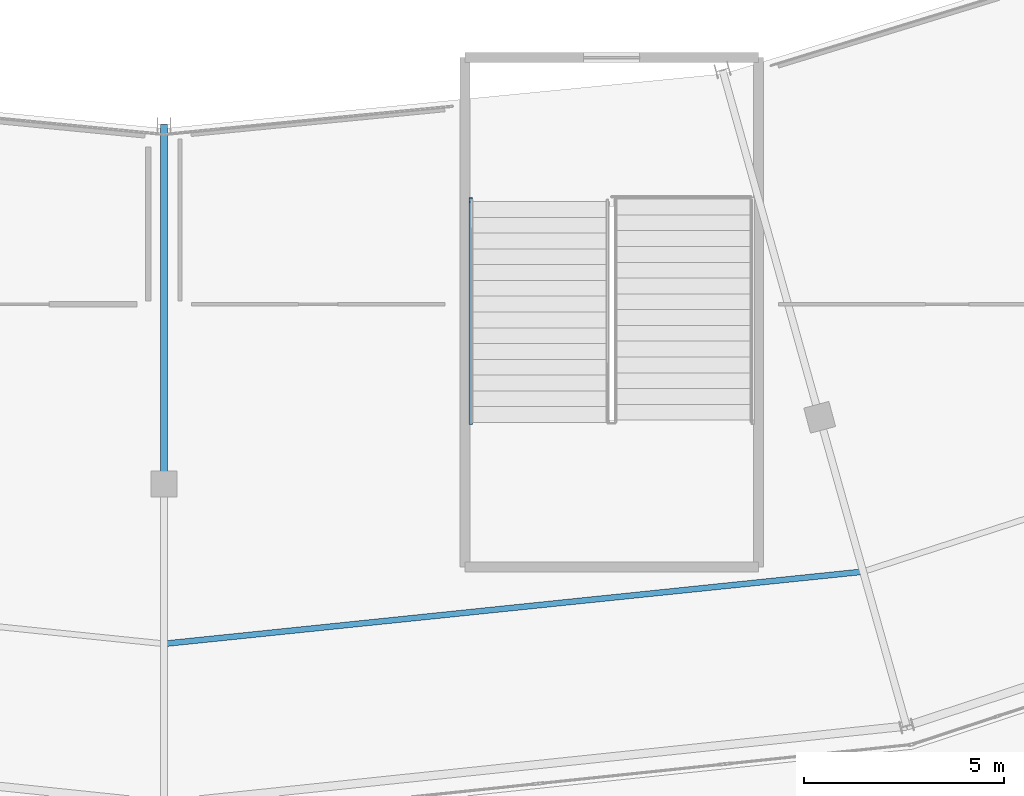
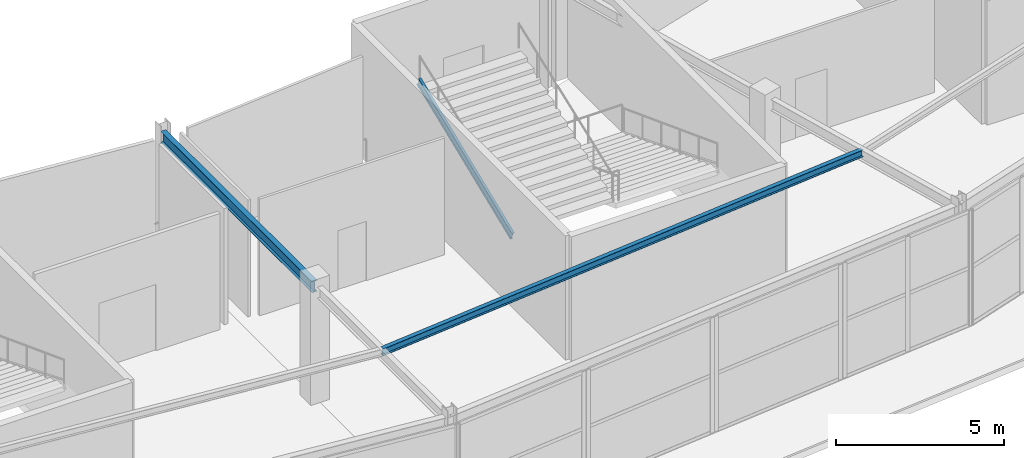
# One storey, part 40 of 126: 2 beams, 1 member.
"""IFC4 building model written with IfcOpenShell, lengths in metres."""

from ifc_helpers import new_model, si_unit, direction, frame, origin, origin_2d, place, context, subcontext, project, spatial, i_section, extrude, material, material_profile, profile_set, type_object, element, save


model = new_model("IFC4")

# Units and contexts
model_context = context("Model", 3, precision=1e-05, world=origin(), true_north=direction((0.0, 1.0)))
body_context = subcontext(model_context, "Body", "Model", "MODEL_VIEW")
ifc_project = project(units=[si_unit("LENGTHUNIT", "METRE"), si_unit("AREAUNIT", "SQUARE_METRE"), si_unit("VOLUMEUNIT", "CUBIC_METRE"), si_unit("PLANEANGLEUNIT", "RADIAN"), si_unit("MASSUNIT", "GRAM", prefix="KILO")], contexts=[model_context])

# Site, building, storey
site_placement = place(None, origin())
site = spatial("IfcSite", under=ifc_project, at=site_placement, CompositionType="ELEMENT")
building_placement = place(site_placement, origin())
building = spatial("IfcBuilding", under=site, at=building_placement, Name="Kalgoora Escarpment Arena", CompositionType="ELEMENT")
storey_placement = place(building_placement, frame((0.0, 0.0, 18.89990234375)))
storey = spatial("IfcBuildingStorey", under=building, at=storey_placement, Name="L04", CompositionType="ELEMENT", Elevation=18.89990234375)

# Beams
ifc_material_1 = material(Name="Structural steel AS/NZS 3679 (300 MPa)", Category="steel")
ifc_material_profile_1 = material_profile(ifc_material_1, i_section(OverallWidth=0.14599609375, OverallDepth=0.256103515625, WebThickness=0.00634765625, FlangeThickness=0.010986328125, at=origin_2d()))
ifc_profile_set_1 = profile_set([ifc_material_profile_1], Name="Structural steel AS/NZS 3679 (300 MPa)")
beam_type_1 = type_object("IfcBeamType", Name="BM-BEAM-250UB37.3", PredefinedType="BEAM", material=ifc_profile_set_1)
beam_1_placement = place(storey_placement, frame((92.39990234375, 11.0, 4.08203125), z_axis=(0.99471538009, 0.10267089467, 0.0), x_axis=(-0.10267089467, 0.99471538009, 0.0)))
element("IfcBeam", 1, at=beam_1_placement, inside=storey, type_object=beam_type_1, Name="L04 Concourse secondary ring beam 250UB37.3", PredefinedType="BEAM", context=body_context, shape_type="SweptSolid", body=[
    extrude(i_section(OverallWidth=0.14599609375, OverallDepth=0.256103515625, WebThickness=0.00634765625, FlangeThickness=0.010986328125, at=origin_2d()), origin(), (0.0, 0.0, 1.0), 17.58935546875),
])
ifc_material_2 = material(Name="Structural steel AS/NZS 3679 (300 MPa)", Category="steel")
ifc_material_profile_2 = material_profile(ifc_material_2, i_section(OverallWidth=0.177978515625, OverallDepth=0.406005859375, WebThickness=0.0078125, FlangeThickness=0.0126953125, at=origin_2d()))
ifc_profile_set_2 = profile_set([ifc_material_profile_2], Name="Structural steel AS/NZS 3679 (300 MPa)")
beam_type_2 = type_object("IfcBeamType", Name="BM-GIRDER-410UB59.7", PredefinedType="USERDEFINED", material=ifc_profile_set_2)
beam_2_placement = place(storey_placement, frame((92.39990234375, 24.0, 4.007080078125), z_axis=(0.0, -1.0, 0.0), x_axis=(1.0, 0.0, 0.0)))
element("IfcBeam", 2, at=beam_2_placement, inside=storey, type_object=beam_type_2, Name="L04 Radial concourse girder 410UB59.7", ObjectType="GIRDER", PredefinedType="USERDEFINED", context=body_context, shape_type="SweptSolid", body=[
    extrude(i_section(OverallWidth=0.177978515625, OverallDepth=0.406005859375, WebThickness=0.0078125, FlangeThickness=0.0126953125, at=origin_2d()), origin(), (0.0, 0.0, 1.0), 9.0),
])

# Member
ifc_material_3 = material(Name="Structural steel AS/NZS 3679 (300 MPa)", Category="steel")
ifc_material_profile_3 = material_profile(ifc_material_3, i_section(OverallWidth=0.090087890625, OverallDepth=0.300048828125, WebThickness=0.008056640625, FlangeThickness=0.01611328125, at=origin_2d()))
ifc_profile_set_3 = profile_set([ifc_material_profile_3], Name="Structural steel AS/NZS 3679 (300 MPa)")
member_type = type_object("IfcMemberType", Name="MEM-STRINGER-PFC", PredefinedType="STRINGER", material=ifc_profile_set_3)
member_placement = place(storey_placement, frame((100.070068359375, 16.550048828125, 2.210205078125), z_axis=(0.0, 0.926975796404, 0.375121144273), x_axis=(-1.0, 0.0, 0.0)))
element("IfcMember", 3, at=member_placement, inside=storey, type_object=member_type, Name="ST15 L04 steel stair stringer 2", PredefinedType="STRINGER", context=body_context, shape_type="SweptSolid", body=[
    extrude(i_section(OverallWidth=0.090087890625, OverallDepth=0.300048828125, WebThickness=0.008056640625, FlangeThickness=0.01611328125, at=origin_2d()), origin(), (0.0, 0.0, 1.0), 5.998046875),
])

save(model, "model.ifc")
